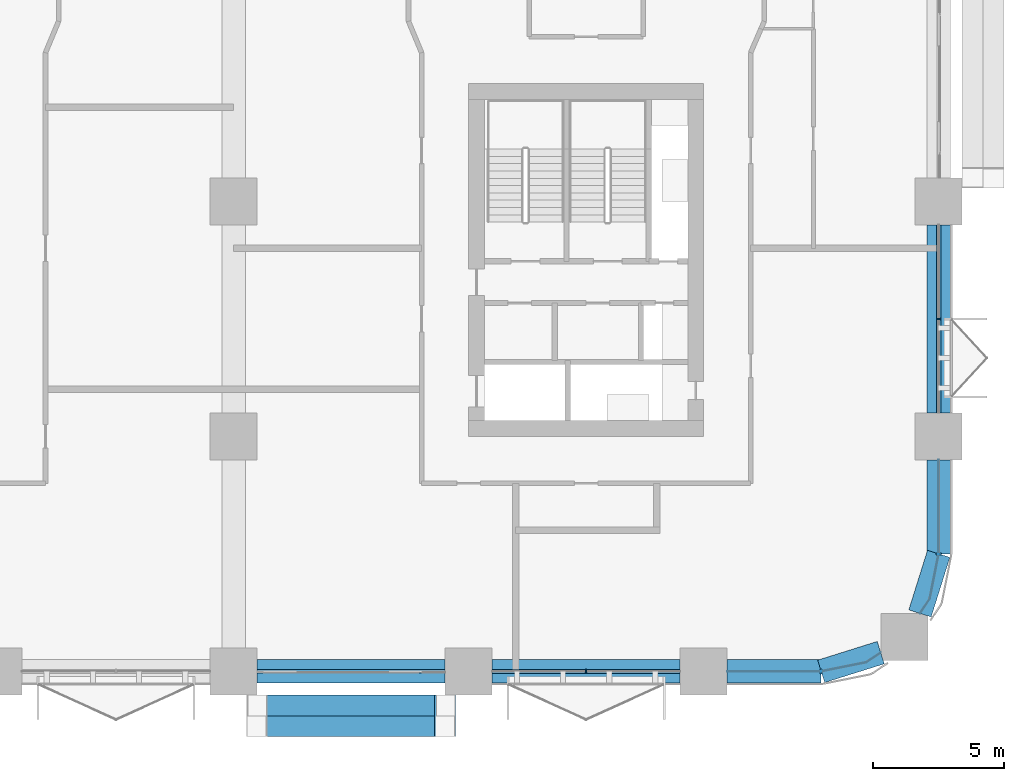
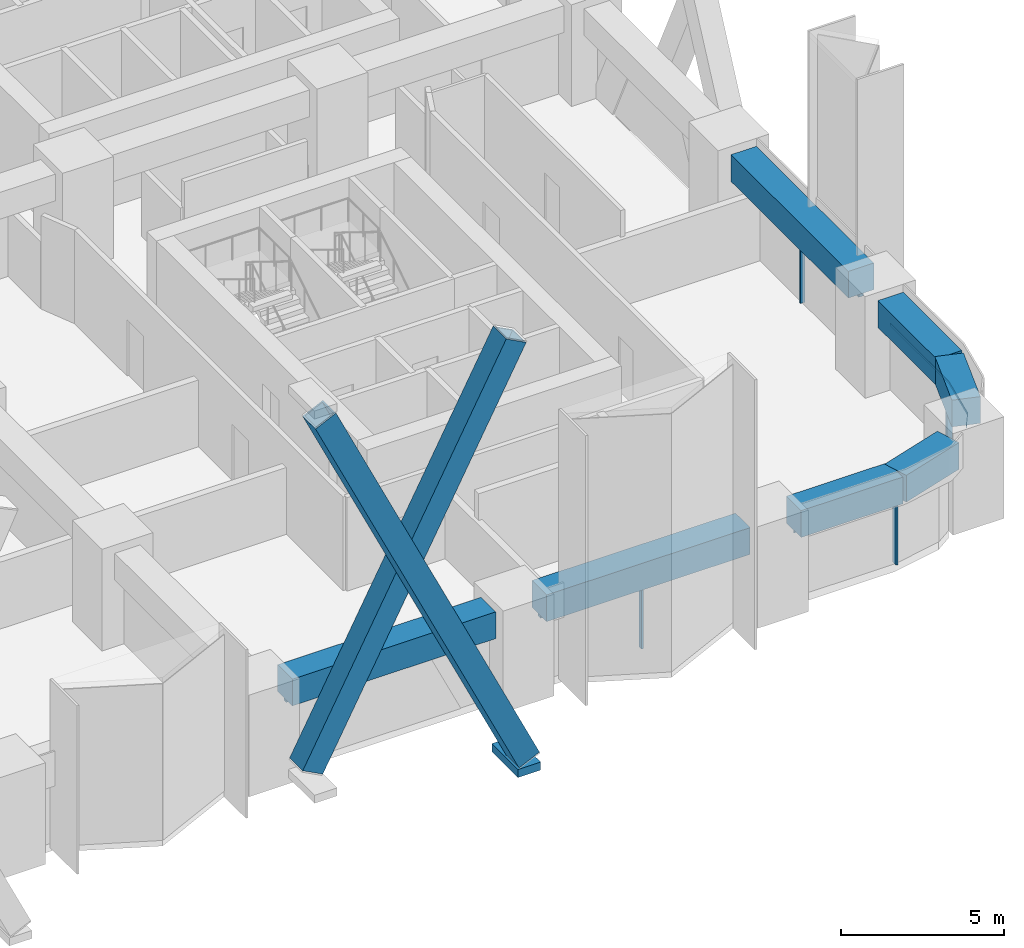
# One storey, part 5 of 26: 12 members, 7 beams, 5 elements without a shape of their own.
"""IFC4 building model written with IfcOpenShell, lengths in metres."""

from ifc_helpers import new_model, si_unit, direction, frame, origin, origin_2d, place, context, subcontext, project, spatial, polyline, rectangle, hollow_rectangle, outline, extrude, material, layer, layer_set, material_profile, profile_set, type_object, element, aggregate, save


model = new_model("IFC4")

# Units and contexts
model_context = context("Model", 3, precision=1e-05, world=origin(), true_north=direction((0.0, 1.0)))
body_context = subcontext(model_context, "Body", "Model", "MODEL_VIEW")
ifc_project = project(units=[si_unit("LENGTHUNIT", "METRE"), si_unit("AREAUNIT", "SQUARE_METRE"), si_unit("VOLUMEUNIT", "CUBIC_METRE"), si_unit("PLANEANGLEUNIT", "RADIAN"), si_unit("MASSUNIT", "GRAM", prefix="KILO")], contexts=[model_context])

# Site, building, storey
site_placement = place(None, origin())
site = spatial("IfcSite", under=ifc_project, at=site_placement, CompositionType="ELEMENT")
building_placement = place(site_placement, origin())
building = spatial("IfcBuilding", under=site, at=building_placement, Name="Tessera Arch", CompositionType="ELEMENT")
storey_placement = place(building_placement, frame((0.0, 0.0, 31.0)))
storey = spatial("IfcBuildingStorey", under=building, at=storey_placement, Name="L05", CompositionType="ELEMENT", Elevation=31.0)

# Members
ifc_material_1 = material(Name="Steel A572 Gr50", Category="steel")
ifc_material_profile_1 = material_profile(ifc_material_1, hollow_rectangle(XDim=0.800048828125, YDim=0.800048828125, WallThickness=0.06005859375, at=origin_2d()), Name="BOX 800x800x60")
ifc_profile_set_1 = profile_set([ifc_material_profile_1], Name="Steel A572 Gr50")
member_type_1 = type_object("IfcMemberType", Name="Brace BOX 800x800x60 Steel A572 Gr50", PredefinedType="BRACE", material=ifc_profile_set_1)
member_1_placement = place(storey_placement, frame((27.89990234375, -1.300048828125, 0.77001953125), z_axis=(0.467095801343, 0.0, 0.884206713596), x_axis=(0.0, 1.0, 0.0)))
element("IfcMember", 1, at=member_1_placement, inside=storey, type_object=member_type_1, Name="Brace S0.0-2 A L05-L08", PredefinedType="BRACE", context=body_context, shape_type="SweptSolid", body=[
    extrude(hollow_rectangle(XDim=0.800048828125, YDim=0.800048828125, WallThickness=0.06005859375, at=origin_2d()), origin(), (0.0, 0.0, 1.0), 15.414794921875),
])
member_2_placement = place(storey_placement, frame((35.10009765625, -2.10009765625, -0.800048828125), z_axis=(-0.428096952335, 0.0, 0.903732814167), x_axis=(0.0, -1.0, 0.0)))
element("IfcMember", 2, at=member_2_placement, inside=storey, type_object=member_type_1, Name="Brace S0.0-2 B L05-L08", PredefinedType="BRACE", context=body_context, shape_type="SweptSolid", body=[
    extrude(hollow_rectangle(XDim=0.800048828125, YDim=0.800048828125, WallThickness=0.06005859375, at=origin_2d()), origin(), (0.0, 0.0, 1.0), 16.819091796875),
])

# Curtain wall, member
ifc_material_2 = material(Name="CW1 curtain wall")
curtain_wall_type_1 = type_object("IfcCurtainWallType", Name="CW1 curtain wall", PredefinedType="NOTDEFINED", material=ifc_material_2)
curtain_wall_1_placement = place(storey_placement, origin())
curtain_wall_1 = element("IfcCurtainWall", 3, at=curtain_wall_1_placement, inside=storey, type_object=curtain_wall_type_1, Name="CW1 curtain wall S0.0/3 L05", PredefinedType="NOTDEFINED")
ifc_material_3 = material(Name="Anodised aluminium pale metal", Category="aluminium")
ifc_material_profile_2 = material_profile(ifc_material_3, rectangle(XDim=0.159912109375, YDim=0.06005859375, at=origin_2d()), Name="AL 60x160")
ifc_profile_set_2 = profile_set([ifc_material_profile_2], Name="Anodised aluminium pale metal")
member_type_2 = type_object("IfcMemberType", Name="CW1 mullion", PredefinedType="MULLION", material=ifc_profile_set_2)
member_3_placement = place(storey_placement, frame((40.5, 0.0, 0.0), z_axis=(0.0, 0.0, 1.0), x_axis=(0.0, 1.0, 0.0)))
member_3 = element("IfcMember", 4, at=member_3_placement, type_object=member_type_2, Name="CW1 mullion S0.0/3 1", PredefinedType="MULLION", context=body_context, shape_type="SweptSolid", body=[
    extrude(rectangle(XDim=0.159912109375, YDim=0.06005859375, at=origin_2d()), origin(), (0.0, 0.0, 1.0), 2.39990234375),
])

curtain_wall_2_placement = place(storey_placement, origin())
curtain_wall_2 = element("IfcCurtainWall", 5, at=curtain_wall_2_placement, inside=storey, type_object=curtain_wall_type_1, Name="CW1 curtain wall E54.0/1 L05", PredefinedType="NOTDEFINED")
member_4_placement = place(storey_placement, frame((54.0, 13.5, 0.0), z_axis=(0.0, 0.0, 1.0), x_axis=(-1.0, 0.0, 0.0)))
member_4 = element("IfcMember", 6, at=member_4_placement, type_object=member_type_2, Name="CW1 mullion E54.0/1 1", PredefinedType="MULLION", context=body_context, shape_type="SweptSolid", body=[
    extrude(rectangle(XDim=0.159912109375, YDim=0.06005859375, at=origin_2d()), origin(), (0.0, 0.0, 1.0), 2.39990234375),
])

# Member
ifc_material_4 = material(Name="Anodised aluminium pale metal", Category="aluminium")
ifc_material_profile_3 = material_profile(ifc_material_4, rectangle(XDim=0.159912109375, YDim=0.10009765625, at=origin_2d()), Name="AL 160x100")
ifc_profile_set_3 = profile_set([ifc_material_profile_3], Name="Anodised aluminium pale metal")
member_type_3 = type_object("IfcMemberType", Name="CW1 transom", PredefinedType="USERDEFINED", material=ifc_profile_set_3)
member_5_placement = place(storey_placement, frame((36.89990234375, 0.0, 2.449951171875), z_axis=(1.0, 0.0, 0.0), x_axis=(0.0, 1.0, 0.0)))
member_5 = element("IfcMember", 7, at=member_5_placement, type_object=member_type_3, Name="CW1 transom S0.0/3 1.1", ObjectType="TRANSOM", PredefinedType="USERDEFINED", context=body_context, shape_type="SweptSolid", body=[
    extrude(rectangle(XDim=0.159912109375, YDim=0.10009765625, at=origin_2d()), origin(), (0.0, 0.0, 1.0), 7.2001953125),
])

aggregate(curtain_wall_1, [member_3, member_5])

member_6_placement = place(storey_placement, frame((54.0, 9.89990234375, 2.449951171875), z_axis=(0.0, 1.0, 0.0), x_axis=(-1.0, 0.0, 0.0)))
member_6 = element("IfcMember", 8, at=member_6_placement, type_object=member_type_3, Name="CW1 transom E54.0/1 1.1", ObjectType="TRANSOM", PredefinedType="USERDEFINED", context=body_context, shape_type="SweptSolid", body=[
    extrude(rectangle(XDim=0.159912109375, YDim=0.10009765625, at=origin_2d()), origin(), (0.0, 0.0, 1.0), 7.2001953125),
])

aggregate(curtain_wall_2, [member_4, member_6])

# Curtain wall, member
ifc_material_5 = material(Name="CW2 curtain wall")
curtain_wall_type_2 = type_object("IfcCurtainWallType", Name="CW2 curtain wall", PredefinedType="NOTDEFINED", material=ifc_material_5)
curtain_wall_3_placement = place(storey_placement, origin())
curtain_wall_3 = element("IfcCurtainWall", 9, at=curtain_wall_3_placement, inside=storey, type_object=curtain_wall_type_2, Name="CW2 curtain wall S0.0/4 L05", PredefinedType="NOTDEFINED")
ifc_material_6 = material(Name="Anodised aluminium pale metal", Category="aluminium")
ifc_material_profile_4 = material_profile(ifc_material_6, rectangle(XDim=0.199951171875, YDim=0.080078125, at=origin_2d()), Name="AL 80x200")
ifc_profile_set_4 = profile_set([ifc_material_profile_4], Name="Anodised aluminium pale metal")
member_type_4 = type_object("IfcMemberType", Name="CW2 mullion", PredefinedType="MULLION", material=ifc_profile_set_4)
member_7_placement = place(storey_placement, frame((49.5, 0.0, 0.0), z_axis=(0.0, 0.0, 1.0), x_axis=(0.0, 1.0, 0.0)))
member_7 = element("IfcMember", 10, at=member_7_placement, type_object=member_type_4, Name="CW2 mullion S0.0/4 1", PredefinedType="MULLION", context=body_context, shape_type="SweptSolid", body=[
    extrude(rectangle(XDim=0.199951171875, YDim=0.080078125, at=origin_2d()), origin(), (0.0, 0.0, 1.0), 2.39990234375),
])

curtain_wall_4_placement = place(storey_placement, origin())
curtain_wall_4 = element("IfcCurtainWall", 11, at=curtain_wall_4_placement, inside=storey, type_object=curtain_wall_type_2, Name="CW2 curtain wall E54.0/0 L05", PredefinedType="NOTDEFINED")
member_8_placement = place(storey_placement, frame((54.0, 4.5, 0.0), z_axis=(0.0, 0.0, 1.0), x_axis=(-1.0, 0.0, 0.0)))
member_8 = element("IfcMember", 12, at=member_8_placement, type_object=member_type_4, Name="CW2 mullion E54.0/0 1", PredefinedType="MULLION", context=body_context, shape_type="SweptSolid", body=[
    extrude(rectangle(XDim=0.199951171875, YDim=0.080078125, at=origin_2d()), origin(), (0.0, 0.0, 1.0), 2.39990234375),
])

# Member
ifc_material_7 = material(Name="Anodised aluminium pale metal", Category="aluminium")
ifc_material_profile_5 = material_profile(ifc_material_7, rectangle(XDim=0.199951171875, YDim=0.10009765625, at=origin_2d()), Name="AL 200x100")
ifc_profile_set_5 = profile_set([ifc_material_profile_5], Name="Anodised aluminium pale metal")
member_type_5 = type_object("IfcMemberType", Name="CW2 transom", PredefinedType="USERDEFINED", material=ifc_profile_set_5)
member_9_placement = place(storey_placement, frame((0.0, 0.0, 2.39990234375)))
member_9 = element("IfcMember", 13, at=member_9_placement, type_object=member_type_5, Name="CW2 transom S0.0/4 1", ObjectType="TRANSOM", PredefinedType="USERDEFINED", context=body_context, shape_type="SweptSolid", body=[
    extrude(outline(polyline([(49.4990234375, 0.010009765625), (45.89990234375, 0.010009765625), (45.89990234375, -0.010009765625), (49.5009765625, -0.010009765625), (51.22607421875, 0.3330078125), (51.78759765625, 0.70849609375), (51.7763671875, 0.72509765625), (51.21826171875, 0.351806640625), (49.4990234375, 0.010009765625)])), origin(), (0.0, 0.0, 1.0), 0.10009765625),
])

aggregate(curtain_wall_3, [member_7, member_9])

member_10_placement = place(storey_placement, frame((0.0, 0.0, 2.39990234375)))
member_10 = element("IfcMember", 14, at=member_10_placement, type_object=member_type_5, Name="CW2 transom E54.0/0 1", ObjectType="TRANSOM", PredefinedType="USERDEFINED", context=body_context, shape_type="SweptSolid", body=[
    extrude(outline(polyline([(53.648193359375, 2.78173828125), (53.27490234375, 2.2236328125), (53.29150390625, 2.21240234375), (53.6669921875, 2.77392578125), (54.010009765625, 4.4990234375), (54.010009765625, 8.10009765625), (53.989990234375, 8.10009765625), (53.989990234375, 4.5009765625), (53.648193359375, 2.78173828125)])), origin(), (0.0, 0.0, 1.0), 0.10009765625),
])

aggregate(curtain_wall_4, [member_8, member_10])

# Curtain wall, member
ifc_material_8 = material(Name="CW3 curtain wall")
curtain_wall_type_3 = type_object("IfcCurtainWallType", Name="CW3 curtain wall", PredefinedType="NOTDEFINED", material=ifc_material_8)
curtain_wall_5_placement = place(storey_placement, origin())
curtain_wall_5 = element("IfcCurtainWall", 15, at=curtain_wall_5_placement, inside=storey, type_object=curtain_wall_type_3, Name="CW3 curtain wall S0.0/2 L05", PredefinedType="NOTDEFINED")
ifc_material_9 = material(Name="Anodised aluminium pale metal", Category="aluminium")
ifc_material_profile_6 = material_profile(ifc_material_9, rectangle(XDim=0.139892578125, YDim=0.10009765625, at=origin_2d()), Name="AL 140x100")
ifc_profile_set_6 = profile_set([ifc_material_profile_6], Name="Anodised aluminium pale metal")
member_type_6 = type_object("IfcMemberType", Name="CW3 transom", PredefinedType="USERDEFINED", material=ifc_profile_set_6)
member_11_placement = place(storey_placement, frame((27.89990234375, 0.0, 2.449951171875), z_axis=(1.0, 0.0, 0.0), x_axis=(0.0, 1.0, 0.0)))
member_11 = element("IfcMember", 16, at=member_11_placement, type_object=member_type_6, Name="CW3 transom S0.0/2 1.1", ObjectType="TRANSOM", PredefinedType="USERDEFINED", context=body_context, shape_type="SweptSolid", body=[
    extrude(rectangle(XDim=0.139892578125, YDim=0.10009765625, at=origin_2d()), origin(), (0.0, 0.0, 1.0), 7.2001953125),
])
aggregate(curtain_wall_5, [member_11])

# Member
ifc_material_10 = material(Name="Steel A572 Gr50", Category="steel")
ifc_layer = layer(ifc_material_10, 0.050048828125)
ifc_layer_set = layer_set([ifc_layer], Name="Node block Steel A572 Gr50")
member_type_7 = type_object("IfcMemberType", Name="Node block Steel A572 Gr50", PredefinedType="PLATE", material=ifc_layer_set)
member_12_placement = place(storey_placement, frame((35.10009765625, -1.699951171875, -1.31640625), z_axis=(0.0, 0.0, 1.0), x_axis=(1.0, 0.0, 0.0)))
element("IfcMember", 17, at=member_12_placement, inside=storey, type_object=member_type_7, Name="Node block seat S0.0-2 1 L05", PredefinedType="PLATE", context=body_context, shape_type="SweptSolid", body=[
    extrude(rectangle(XDim=0.800048828125, YDim=1.60009765625, at=origin_2d()), origin(), (0.0, 0.0, 1.0), 0.300048828125),
])

# Beams
ifc_material_11 = material(Name="Concrete C80/95", Category="concrete")
ifc_material_profile_7 = material_profile(ifc_material_11, rectangle(XDim=0.89990234375, YDim=1.0, at=origin_2d()), Name="RC spandrel beam 900 x 1000 Concrete C80/95")
ifc_profile_set_7 = profile_set([ifc_material_profile_7], Name="Concrete C80/95")
beam_type = type_object("IfcBeamType", Name="RC spandrel beam 900 x 1000 Concrete C80/95", PredefinedType="BEAM", material=ifc_profile_set_7)
for number, where, z_axis, x_axis, name in (
    (18, (27.89990234375, 0.0, 3.0), (1.0, 0.0, 0.0), (0.0, 1.0, 0.0), "Spandrel beam L05 S0.0/2"),
    (19, (36.89990234375, 0.0, 3.0), (1.0, 0.0, 0.0), (0.0, 1.0, 0.0), "Spandrel beam L05 S0.0/3"),
):
    element("IfcBeam", number, at=place(storey_placement, frame(where, z_axis=z_axis, x_axis=x_axis)), inside=storey, type_object=beam_type, Name=name, PredefinedType="BEAM", context=body_context, shape_type="SweptSolid", body=[
        extrude(rectangle(XDim=0.89990234375, YDim=1.0, at=origin_2d()), origin(), (0.0, 0.0, 1.0), 7.2001953125),
    ])
beam_1_placement = place(storey_placement, frame((45.89990234375, 0.0, 3.0), z_axis=(1.0, 0.0, 0.0), x_axis=(0.0, 1.0, 0.0)))
element("IfcBeam", 20, at=beam_1_placement, inside=storey, type_object=beam_type, Name="Spandrel beam L05 S0.0/4.1", PredefinedType="BEAM", context=body_context, shape_type="SweptSolid", body=[
    extrude(rectangle(XDim=0.89990234375, YDim=1.0, at=origin_2d()), origin(), (0.0, 0.0, 1.0), 3.60009765625),
])
for number, where, z_axis, x_axis, name in (
    (21, (49.5, 0.0, 3.0), (0.954041251279, 0.299675309057, 0.0), (-0.299675309057, 0.954041251279, 0.0), "Spandrel beam L05 S0.0/4.2"),
    (22, (53.283203125, 2.218017578125, 3.0), (0.299675309057, 0.954041251279, 0.0), (-0.954041251279, 0.299675309057, 0.0), "Spandrel beam L05 E54.0/0.1"),
):
    element("IfcBeam", number, at=place(storey_placement, frame(where, z_axis=z_axis, x_axis=x_axis)), inside=storey, type_object=beam_type, Name=name, PredefinedType="BEAM", context=body_context, shape_type="SweptSolid", body=[
        extrude(rectangle(XDim=0.89990234375, YDim=1.0, at=origin_2d()), origin(), (0.0, 0.0, 1.0), 2.391845703125),
    ])
beam_2_placement = place(storey_placement, frame((54.0, 4.5, 3.0), z_axis=(0.0, 1.0, 0.0), x_axis=(-1.0, 0.0, 0.0)))
element("IfcBeam", 23, at=beam_2_placement, inside=storey, type_object=beam_type, Name="Spandrel beam L05 E54.0/0.2", PredefinedType="BEAM", context=body_context, shape_type="SweptSolid", body=[
    extrude(rectangle(XDim=0.89990234375, YDim=1.0, at=origin_2d()), origin(), (0.0, 0.0, 1.0), 3.60009765625),
])
beam_3_placement = place(storey_placement, frame((54.0, 9.89990234375, 3.0), z_axis=(0.0, 1.0, 0.0), x_axis=(-1.0, 0.0, 0.0)))
element("IfcBeam", 24, at=beam_3_placement, inside=storey, type_object=beam_type, Name="Spandrel beam L05 E54.0/1", PredefinedType="BEAM", context=body_context, shape_type="SweptSolid", body=[
    extrude(rectangle(XDim=0.89990234375, YDim=1.0, at=origin_2d()), origin(), (0.0, 0.0, 1.0), 7.2001953125),
])

save(model, "model.ifc")
